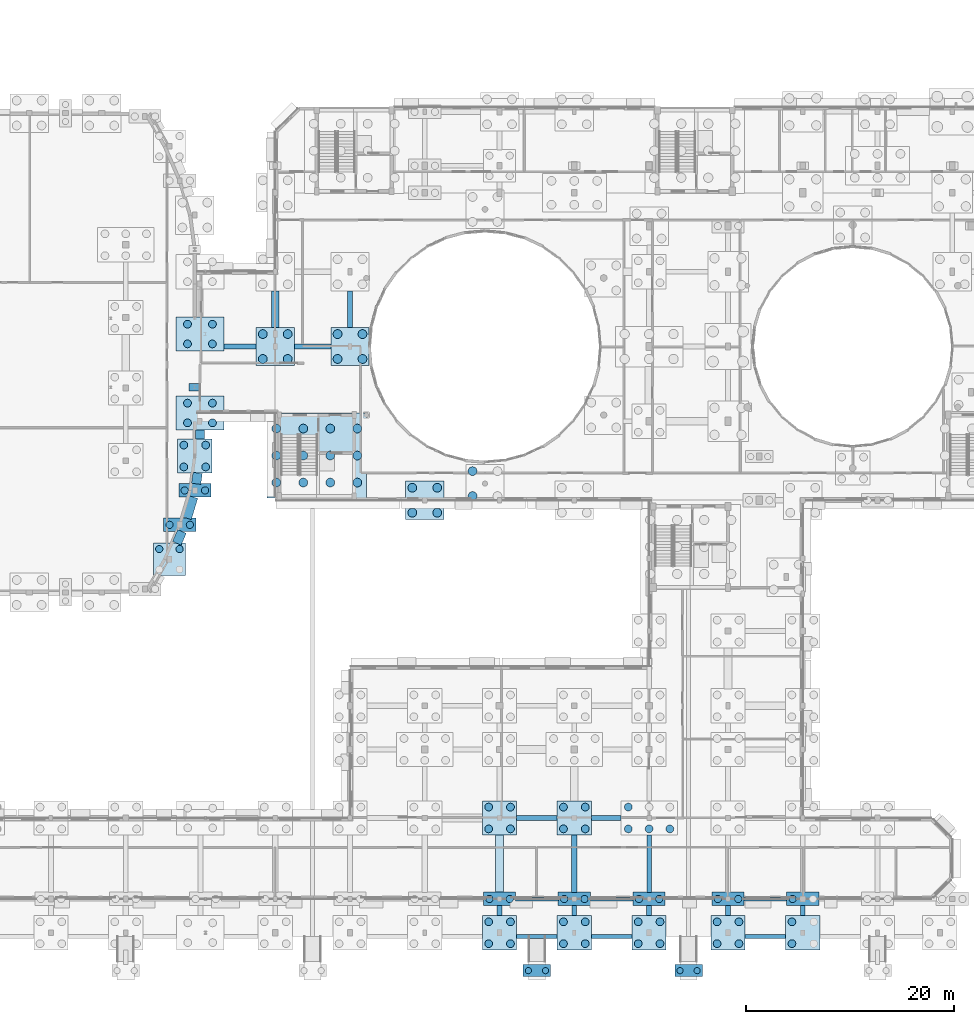
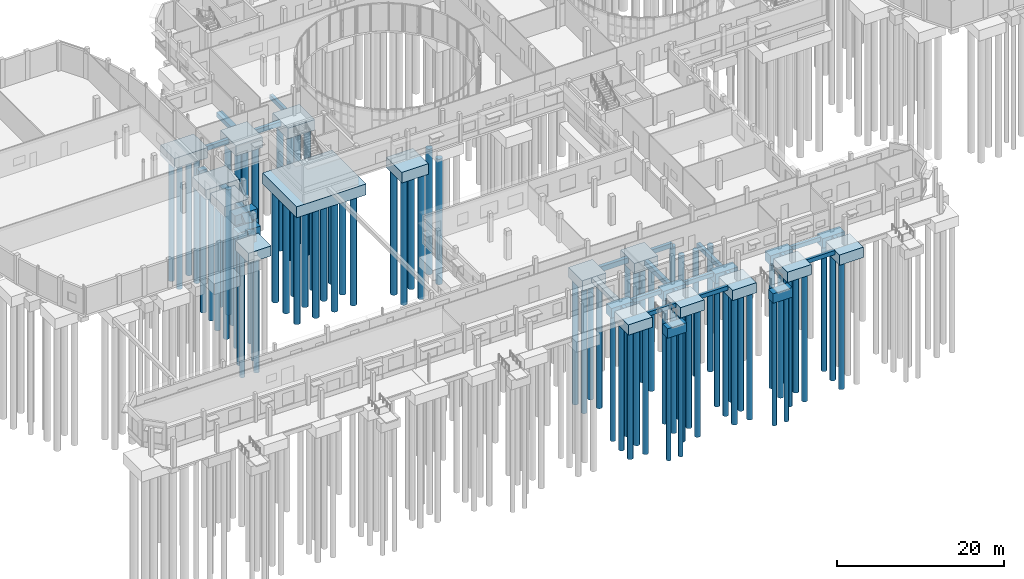
# One storey, part 3 of 93: 87 piles, 49 footings.
"""IFC4 building model written with IfcOpenShell, lengths in metres."""

from ifc_helpers import new_model, si_unit, direction, frame, origin, origin_2d, place, context, subcontext, project, spatial, rectangle, circle, extrude, material, material_profile, profile_set, type_object, element, save


model = new_model("IFC4")

# Units and contexts
model_context = context("Model", 3, precision=1e-05, world=origin(), true_north=direction((0.0, 1.0)))
body_context = subcontext(model_context, "Body", "Model", "MODEL_VIEW")
ifc_project = project(units=[si_unit("LENGTHUNIT", "METRE"), si_unit("AREAUNIT", "SQUARE_METRE"), si_unit("VOLUMEUNIT", "CUBIC_METRE"), si_unit("PLANEANGLEUNIT", "RADIAN"), si_unit("MASSUNIT", "GRAM", prefix="KILO")], contexts=[model_context])

# Site, building, storey
site_placement = place(None, origin())
site = spatial("IfcSite", under=ifc_project, at=site_placement, CompositionType="ELEMENT")
building_placement = place(site_placement, origin())
building = spatial("IfcBuilding", under=site, at=building_placement, Name="Kelanivale Promenade Academy", CompositionType="ELEMENT")
storey_placement = place(building_placement, origin())
storey = spatial("IfcBuildingStorey", under=building, at=storey_placement, Name="L00", CompositionType="ELEMENT", Elevation=0.0)

# Piles
ifc_material = material(Name="Concrete C35/45", Category="concrete")
ifc_material_profile_1 = material_profile(ifc_material, circle(Radius=0.300048828125, at=origin_2d()), Name="BORED PILE D600")
ifc_profile_set_1 = profile_set([ifc_material_profile_1], Name="Concrete C35/45")
pile_type_1 = type_object("IfcPileType", Name="BP-1 BORED PILE D600", PredefinedType="BORED", material=ifc_profile_set_1)
for number, where, z_axis, x_axis, name in (
    (1, (67.574951171875, -3.300048828125, -1.625), (0.0, 0.0, -1.0), (1.0, 0.0, 0.0), "Bored pile FC-RMP-04-BP1-P01"),
    (2, (69.22509765625, -3.300048828125, -1.625), (0.0, 0.0, -1.0), (1.0, 0.0, 0.0), "Bored pile FC-RMP-04-BP1-P02"),
    (3, (82.175048828125, -3.300048828125, -1.625), (0.0, 0.0, -1.0), (1.0, 0.0, 0.0), "Bored pile FC-RMP-05-BP1-P01"),
    (4, (83.824951171875, -3.300048828125, -1.625), (0.0, 0.0, -1.0), (1.0, 0.0, 0.0), "Bored pile FC-RMP-05-BP1-P02"),
):
    element("IfcPile", number, at=place(storey_placement, frame(where, z_axis=z_axis, x_axis=x_axis)), inside=storey, type_object=pile_type_1, Name=name, PredefinedType="BORED", context=body_context, shape_type="SweptSolid", body=[
        extrude(circle(Radius=0.300048828125, at=origin_2d()), origin(), (0.0, 0.0, 1.0), 18.375),
    ])
ifc_material_profile_2 = material_profile(ifc_material, circle(Radius=0.35009765625, at=origin_2d()), Name="BORED PILE D700")
ifc_profile_set_2 = profile_set([ifc_material_profile_2], Name="Concrete C35/45")
pile_type_2 = type_object("IfcPileType", Name="BP-2 BORED PILE D700", PredefinedType="BORED", material=ifc_profile_set_2)
for number, where, z_axis, x_axis, name in (
    (5, (32.030029296875, 37.2939453125, -1.60009765625), (0.0, 0.0, -1.0), (1.0, 0.0, 0.0), "Bored pile FC-039-BP2-P02"),
    (6, (33.989990234375, 37.2939453125, -1.60009765625), (0.0, 0.0, -1.0), (1.0, 0.0, 0.0), "Bored pile FC-039-BP2-P04"),
):
    element("IfcPile", number, at=place(storey_placement, frame(where, z_axis=z_axis, x_axis=x_axis)), inside=storey, type_object=pile_type_2, Name=name, PredefinedType="BORED", context=body_context, shape_type="SweptSolid", body=[
        extrude(circle(Radius=0.35009765625, at=origin_2d()), origin(), (0.0, 0.0, 1.0), 18.39990234375),
    ])
for number, where, z_axis, x_axis, name in (
    (7, (33.02001953125, 39.62890625, -1.550048828125), (0.0, 0.0, -1.0), (1.0, 0.0, 0.0), "Bored pile FC-041-BP2-P01"),
    (8, (34.97998046875, 39.62890625, -1.550048828125), (0.0, 0.0, -1.0), (1.0, 0.0, 0.0), "Bored pile FC-041-BP2-P02"),
    (9, (34.47998046875, 42.943115234375, -1.550048828125), (0.0, 0.0, -1.0), (1.0, 0.0, 0.0), "Bored pile FC-044-BP2-P01"),
    (10, (36.43994140625, 42.943115234375, -1.550048828125), (0.0, 0.0, -1.0), (1.0, 0.0, 0.0), "Bored pile FC-044-BP2-P02"),
):
    element("IfcPile", number, at=place(storey_placement, frame(where, z_axis=z_axis, x_axis=x_axis)), inside=storey, type_object=pile_type_2, Name=name, PredefinedType="BORED", context=body_context, shape_type="SweptSolid", body=[
        extrude(circle(Radius=0.35009765625, at=origin_2d()), origin(), (0.0, 0.0, 1.0), 18.449951171875),
    ])
for number, where, z_axis, x_axis, name in (
    (11, (63.820068359375, 3.60009765625, -1.5), (0.0, 0.0, -1.0), (1.0, 0.0, 0.0), "Bored pile FC-072-BP2-P01"),
    (12, (65.780029296875, 3.60009765625, -1.5), (0.0, 0.0, -1.0), (1.0, 0.0, 0.0), "Bored pile FC-072-BP2-P02"),
    (13, (71.02001953125, 3.60009765625, -1.5), (0.0, 0.0, -1.0), (1.0, 0.0, 0.0), "Bored pile FC-079-BP2-P01"),
    (14, (72.97998046875, 3.60009765625, -1.5), (0.0, 0.0, -1.0), (1.0, 0.0, 0.0), "Bored pile FC-079-BP2-P02"),
    (15, (78.219970703125, 3.60009765625, -1.5), (0.0, 0.0, -1.0), (1.0, 0.0, 0.0), "Bored pile FC-089-BP2-P01"),
    (16, (80.179931640625, 3.60009765625, -1.5), (0.0, 0.0, -1.0), (1.0, 0.0, 0.0), "Bored pile FC-089-BP2-P02"),
    (17, (85.820068359375, 3.60009765625, -1.5), (0.0, 0.0, -1.0), (1.0, 0.0, 0.0), "Bored pile FC-099-BP2-P01"),
    (18, (87.780029296875, 3.60009765625, -1.5), (0.0, 0.0, -1.0), (1.0, 0.0, 0.0), "Bored pile FC-099-BP2-P02"),
    (19, (93.02001953125, 3.60009765625, -1.5), (0.0, 0.0, -1.0), (1.0, 0.0, 0.0), "Bored pile FC-112-BP2-P01"),
):
    element("IfcPile", number, at=place(storey_placement, frame(where, z_axis=z_axis, x_axis=x_axis)), inside=storey, type_object=pile_type_2, Name=name, PredefinedType="BORED", context=body_context, shape_type="SweptSolid", body=[
        extrude(circle(Radius=0.35009765625, at=origin_2d()), origin(), (0.0, 0.0, 1.0), 18.5),
    ])
ifc_material_profile_3 = material_profile(ifc_material, circle(Radius=0.375, at=origin_2d()), Name="BORED PILE D750")
ifc_profile_set_3 = profile_set([ifc_material_profile_3], Name="Concrete C35/45")
pile_type_3 = type_object("IfcPileType", Name="BP-3 BORED PILE D750", PredefinedType="BORED", material=ifc_profile_set_3)
for number, where, z_axis, x_axis, name in (
    (20, (34.75, 49.449951171875, -1.64990234375), (0.0, 0.0, -1.0), (1.0, 0.0, 0.0), "Bored pile FC-MJ-W01-BP3-P01"),
    (21, (34.75, 51.35009765625, -1.64990234375), (0.0, 0.0, -1.0), (1.0, 0.0, 0.0), "Bored pile FC-MJ-W01-BP3-P02"),
    (22, (37.14990234375, 49.449951171875, -1.64990234375), (0.0, 0.0, -1.0), (1.0, 0.0, 0.0), "Bored pile FC-MJ-W01-BP3-P03"),
    (23, (37.14990234375, 51.35009765625, -1.64990234375), (0.0, 0.0, -1.0), (1.0, 0.0, 0.0), "Bored pile FC-MJ-W01-BP3-P04"),
    (24, (34.75, 57.050048828125, -1.64990234375), (0.0, 0.0, -1.0), (1.0, 0.0, 0.0), "Bored pile FC-MJ-W02-BP3-P01"),
    (25, (34.75, 58.949951171875, -1.64990234375), (0.0, 0.0, -1.0), (1.0, 0.0, 0.0), "Bored pile FC-MJ-W02-BP3-P02"),
    (26, (37.14990234375, 57.050048828125, -1.64990234375), (0.0, 0.0, -1.0), (1.0, 0.0, 0.0), "Bored pile FC-MJ-W02-BP3-P03"),
    (27, (37.14990234375, 58.949951171875, -1.64990234375), (0.0, 0.0, -1.0), (1.0, 0.0, 0.0), "Bored pile FC-MJ-W02-BP3-P04"),
    (28, (34.39990234375, 45.20703125, -1.64990234375), (0.0, 0.0, -1.0), (1.0, 0.0, 0.0), "Bored pile FC-043-BP3-P01"),
    (29, (34.39990234375, 47.306884765625, -1.64990234375), (0.0, 0.0, -1.0), (1.0, 0.0, 0.0), "Bored pile FC-043-BP3-P02"),
    (30, (36.5, 45.20703125, -1.64990234375), (0.0, 0.0, -1.0), (1.0, 0.0, 0.0), "Bored pile FC-043-BP3-P03"),
    (31, (36.5, 47.306884765625, -1.64990234375), (0.0, 0.0, -1.0), (1.0, 0.0, 0.0), "Bored pile FC-043-BP3-P04"),
):
    element("IfcPile", number, at=place(storey_placement, frame(where, z_axis=z_axis, x_axis=x_axis)), inside=storey, type_object=pile_type_3, Name=name, PredefinedType="BORED", context=body_context, shape_type="SweptSolid", body=[
        extrude(circle(Radius=0.375, at=origin_2d()), origin(), (0.0, 0.0, 1.0), 18.35009765625),
    ])
for number, where, z_axis, x_axis, name in (
    (32, (63.75, -0.699951171875, -1.35009765625), (0.0, 0.0, -1.0), (1.0, 0.0, 0.0), "Bored pile FC-071-BP3-P01"),
    (33, (63.75, 1.39990234375, -1.35009765625), (0.0, 0.0, -1.0), (1.0, 0.0, 0.0), "Bored pile FC-071-BP3-P02"),
    (34, (65.85009765625, -0.699951171875, -1.35009765625), (0.0, 0.0, -1.0), (1.0, 0.0, 0.0), "Bored pile FC-071-BP3-P03"),
    (35, (65.85009765625, 1.39990234375, -1.35009765625), (0.0, 0.0, -1.0), (1.0, 0.0, 0.0), "Bored pile FC-071-BP3-P04"),
):
    element("IfcPile", number, at=place(storey_placement, frame(where, z_axis=z_axis, x_axis=x_axis)), inside=storey, type_object=pile_type_3, Name=name, PredefinedType="BORED", context=body_context, shape_type="SweptSolid", body=[
        extrude(circle(Radius=0.375, at=origin_2d()), origin(), (0.0, 0.0, 1.0), 18.64990234375),
    ])
for number, where, z_axis, x_axis, name in (
    (36, (63.75, 10.35009765625, -1.60009765625), (0.0, 0.0, -1.0), (1.0, 0.0, 0.0), "Bored pile FC-073-BP3-P01"),
    (37, (63.75, 12.449951171875, -1.60009765625), (0.0, 0.0, -1.0), (1.0, 0.0, 0.0), "Bored pile FC-073-BP3-P02"),
    (38, (65.85009765625, 10.35009765625, -1.60009765625), (0.0, 0.0, -1.0), (1.0, 0.0, 0.0), "Bored pile FC-073-BP3-P03"),
    (39, (65.85009765625, 12.449951171875, -1.60009765625), (0.0, 0.0, -1.0), (1.0, 0.0, 0.0), "Bored pile FC-073-BP3-P04"),
):
    element("IfcPile", number, at=place(storey_placement, frame(where, z_axis=z_axis, x_axis=x_axis)), inside=storey, type_object=pile_type_3, Name=name, PredefinedType="BORED", context=body_context, shape_type="SweptSolid", body=[
        extrude(circle(Radius=0.375, at=origin_2d()), origin(), (0.0, 0.0, 1.0), 18.39990234375),
    ])
for number, where, z_axis, x_axis, name in (
    (40, (70.949951171875, -0.699951171875, -1.35009765625), (0.0, 0.0, -1.0), (1.0, 0.0, 0.0), "Bored pile FC-078-BP3-P01"),
    (41, (70.949951171875, 1.39990234375, -1.35009765625), (0.0, 0.0, -1.0), (1.0, 0.0, 0.0), "Bored pile FC-078-BP3-P02"),
    (42, (73.050048828125, -0.699951171875, -1.35009765625), (0.0, 0.0, -1.0), (1.0, 0.0, 0.0), "Bored pile FC-078-BP3-P03"),
    (43, (73.050048828125, 1.39990234375, -1.35009765625), (0.0, 0.0, -1.0), (1.0, 0.0, 0.0), "Bored pile FC-078-BP3-P04"),
):
    element("IfcPile", number, at=place(storey_placement, frame(where, z_axis=z_axis, x_axis=x_axis)), inside=storey, type_object=pile_type_3, Name=name, PredefinedType="BORED", context=body_context, shape_type="SweptSolid", body=[
        extrude(circle(Radius=0.375, at=origin_2d()), origin(), (0.0, 0.0, 1.0), 18.64990234375),
    ])
for number, where, z_axis, x_axis, name in (
    (44, (70.949951171875, 10.35009765625, -1.60009765625), (0.0, 0.0, -1.0), (1.0, 0.0, 0.0), "Bored pile FC-080-BP3-P01"),
    (45, (70.949951171875, 12.449951171875, -1.60009765625), (0.0, 0.0, -1.0), (1.0, 0.0, 0.0), "Bored pile FC-080-BP3-P02"),
    (46, (73.050048828125, 10.35009765625, -1.60009765625), (0.0, 0.0, -1.0), (1.0, 0.0, 0.0), "Bored pile FC-080-BP3-P03"),
    (47, (73.050048828125, 12.449951171875, -1.60009765625), (0.0, 0.0, -1.0), (1.0, 0.0, 0.0), "Bored pile FC-080-BP3-P04"),
):
    element("IfcPile", number, at=place(storey_placement, frame(where, z_axis=z_axis, x_axis=x_axis)), inside=storey, type_object=pile_type_3, Name=name, PredefinedType="BORED", context=body_context, shape_type="SweptSolid", body=[
        extrude(circle(Radius=0.375, at=origin_2d()), origin(), (0.0, 0.0, 1.0), 18.39990234375),
    ])
for number, where, z_axis, x_axis, name in (
    (48, (78.14990234375, -0.699951171875, -1.35009765625), (0.0, 0.0, -1.0), (1.0, 0.0, 0.0), "Bored pile FC-088-BP3-P01"),
    (49, (78.14990234375, 1.39990234375, -1.35009765625), (0.0, 0.0, -1.0), (1.0, 0.0, 0.0), "Bored pile FC-088-BP3-P02"),
    (50, (80.25, -0.699951171875, -1.35009765625), (0.0, 0.0, -1.0), (1.0, 0.0, 0.0), "Bored pile FC-088-BP3-P03"),
    (51, (80.25, 1.39990234375, -1.35009765625), (0.0, 0.0, -1.0), (1.0, 0.0, 0.0), "Bored pile FC-088-BP3-P04"),
):
    element("IfcPile", number, at=place(storey_placement, frame(where, z_axis=z_axis, x_axis=x_axis)), inside=storey, type_object=pile_type_3, Name=name, PredefinedType="BORED", context=body_context, shape_type="SweptSolid", body=[
        extrude(circle(Radius=0.375, at=origin_2d()), origin(), (0.0, 0.0, 1.0), 18.64990234375),
    ])
for number, where, z_axis, x_axis, name in (
    (52, (77.199951171875, 10.35009765625, -1.60009765625), (0.0, 0.0, -1.0), (1.0, 0.0, 0.0), "Bored pile FC-090-BP3-P01"),
    (53, (79.199951171875, 10.35009765625, -1.60009765625), (0.0, 0.0, -1.0), (1.0, 0.0, 0.0), "Bored pile FC-090-BP3-P02"),
    (54, (81.199951171875, 10.35009765625, -1.60009765625), (0.0, 0.0, -1.0), (1.0, 0.0, 0.0), "Bored pile FC-090-BP3-P03"),
    (55, (77.199951171875, 12.449951171875, -1.60009765625), (0.0, 0.0, -1.0), (1.0, 0.0, 0.0), "Bored pile FC-090-BP3-P04"),
):
    element("IfcPile", number, at=place(storey_placement, frame(where, z_axis=z_axis, x_axis=x_axis)), inside=storey, type_object=pile_type_3, Name=name, PredefinedType="BORED", context=body_context, shape_type="SweptSolid", body=[
        extrude(circle(Radius=0.375, at=origin_2d()), origin(), (0.0, 0.0, 1.0), 18.39990234375),
    ])
for number, where, z_axis, x_axis, name in (
    (56, (85.75, -0.699951171875, -1.35009765625), (0.0, 0.0, -1.0), (1.0, 0.0, 0.0), "Bored pile FC-098-BP3-P01"),
    (57, (85.75, 1.39990234375, -1.35009765625), (0.0, 0.0, -1.0), (1.0, 0.0, 0.0), "Bored pile FC-098-BP3-P02"),
    (58, (87.85009765625, -0.699951171875, -1.35009765625), (0.0, 0.0, -1.0), (1.0, 0.0, 0.0), "Bored pile FC-098-BP3-P03"),
    (59, (87.85009765625, 1.39990234375, -1.35009765625), (0.0, 0.0, -1.0), (1.0, 0.0, 0.0), "Bored pile FC-098-BP3-P04"),
    (60, (92.949951171875, -0.699951171875, -1.35009765625), (0.0, 0.0, -1.0), (1.0, 0.0, 0.0), "Bored pile FC-111-BP3-P01"),
    (61, (92.949951171875, 1.39990234375, -1.35009765625), (0.0, 0.0, -1.0), (1.0, 0.0, 0.0), "Bored pile FC-111-BP3-P02"),
):
    element("IfcPile", number, at=place(storey_placement, frame(where, z_axis=z_axis, x_axis=x_axis)), inside=storey, type_object=pile_type_3, Name=name, PredefinedType="BORED", context=body_context, shape_type="SweptSolid", body=[
        extrude(circle(Radius=0.375, at=origin_2d()), origin(), (0.0, 0.0, 1.0), 18.64990234375),
    ])
ifc_material_profile_4 = material_profile(ifc_material, circle(Radius=0.425048828125, at=origin_2d()), Name="BORED PILE D850")
ifc_profile_set_4 = profile_set([ifc_material_profile_4], Name="Concrete C35/45")
pile_type_4 = type_object("IfcPileType", Name="BP-4 BORED PILE D850", PredefinedType="BORED", material=ifc_profile_set_4)
for number, where, z_axis, x_axis, name in (
    (62, (43.300048828125, 43.699951171875, -3.300048828125), (0.0, 0.0, -1.0), (1.0, 0.0, 0.0), "Bored pile FC-CORE-06-BP4-P01"),
    (63, (43.300048828125, 46.300048828125, -3.300048828125), (0.0, 0.0, -1.0), (1.0, 0.0, 0.0), "Bored pile FC-CORE-06-BP4-P02"),
    (64, (43.300048828125, 48.89990234375, -3.300048828125), (0.0, 0.0, -1.0), (1.0, 0.0, 0.0), "Bored pile FC-CORE-06-BP4-P03"),
    (65, (45.89990234375, 43.699951171875, -3.300048828125), (0.0, 0.0, -1.0), (1.0, 0.0, 0.0), "Bored pile FC-CORE-06-BP4-P04"),
    (66, (45.89990234375, 46.300048828125, -3.300048828125), (0.0, 0.0, -1.0), (1.0, 0.0, 0.0), "Bored pile FC-CORE-06-BP4-P05"),
    (67, (45.89990234375, 48.89990234375, -3.300048828125), (0.0, 0.0, -1.0), (1.0, 0.0, 0.0), "Bored pile FC-CORE-06-BP4-P06"),
    (68, (48.5, 43.699951171875, -3.300048828125), (0.0, 0.0, -1.0), (1.0, 0.0, 0.0), "Bored pile FC-CORE-06-BP4-P07"),
    (69, (48.5, 46.300048828125, -3.300048828125), (0.0, 0.0, -1.0), (1.0, 0.0, 0.0), "Bored pile FC-CORE-06-BP4-P08"),
    (70, (48.5, 48.89990234375, -3.300048828125), (0.0, 0.0, -1.0), (1.0, 0.0, 0.0), "Bored pile FC-CORE-06-BP4-P09"),
    (71, (51.10009765625, 43.699951171875, -3.300048828125), (0.0, 0.0, -1.0), (1.0, 0.0, 0.0), "Bored pile FC-CORE-06-BP4-P10"),
    (72, (51.10009765625, 46.300048828125, -3.300048828125), (0.0, 0.0, -1.0), (1.0, 0.0, 0.0), "Bored pile FC-CORE-06-BP4-P11"),
    (73, (51.10009765625, 48.89990234375, -3.300048828125), (0.0, 0.0, -1.0), (1.0, 0.0, 0.0), "Bored pile FC-CORE-06-BP4-P12"),
):
    element("IfcPile", number, at=place(storey_placement, frame(where, z_axis=z_axis, x_axis=x_axis)), inside=storey, type_object=pile_type_4, Name=name, PredefinedType="BORED", context=body_context, shape_type="SweptSolid", body=[
        extrude(circle(Radius=0.425048828125, at=origin_2d()), origin(), (0.0, 0.0, 1.0), 16.699951171875),
    ])
for number, where, z_axis, x_axis, name in (
    (74, (42.0, 55.60009765625, -1.64990234375), (0.0, 0.0, -1.0), (1.0, 0.0, 0.0), "Bored pile FC-050-BP4-P01"),
    (75, (42.0, 58.0, -1.64990234375), (0.0, 0.0, -1.0), (1.0, 0.0, 0.0), "Bored pile FC-050-BP4-P02"),
    (76, (44.39990234375, 55.60009765625, -1.64990234375), (0.0, 0.0, -1.0), (1.0, 0.0, 0.0), "Bored pile FC-050-BP4-P03"),
    (77, (44.39990234375, 58.0, -1.64990234375), (0.0, 0.0, -1.0), (1.0, 0.0, 0.0), "Bored pile FC-050-BP4-P04"),
    (78, (49.199951171875, 55.60009765625, -1.64990234375), (0.0, 0.0, -1.0), (1.0, 0.0, 0.0), "Bored pile FC-058-BP4-P01"),
    (79, (49.199951171875, 58.0, -1.64990234375), (0.0, 0.0, -1.0), (1.0, 0.0, 0.0), "Bored pile FC-058-BP4-P02"),
    (80, (51.60009765625, 55.60009765625, -1.64990234375), (0.0, 0.0, -1.0), (1.0, 0.0, 0.0), "Bored pile FC-058-BP4-P03"),
    (81, (51.60009765625, 58.0, -1.64990234375), (0.0, 0.0, -1.0), (1.0, 0.0, 0.0), "Bored pile FC-058-BP4-P04"),
    (82, (56.39990234375, 40.800048828125, -1.64990234375), (0.0, 0.0, -1.0), (1.0, 0.0, 0.0), "Bored pile FC-065-BP4-P01"),
    (83, (56.39990234375, 43.199951171875, -1.64990234375), (0.0, 0.0, -1.0), (1.0, 0.0, 0.0), "Bored pile FC-065-BP4-P02"),
    (84, (58.800048828125, 40.800048828125, -1.64990234375), (0.0, 0.0, -1.0), (1.0, 0.0, 0.0), "Bored pile FC-065-BP4-P03"),
    (85, (58.800048828125, 43.199951171875, -1.64990234375), (0.0, 0.0, -1.0), (1.0, 0.0, 0.0), "Bored pile FC-065-BP4-P04"),
    (86, (62.199951171875, 42.39990234375, -1.64990234375), (0.0, 0.0, -1.0), (1.0, 0.0, 0.0), "Bored pile FC-069-BP4-P01"),
    (87, (62.199951171875, 44.800048828125, -1.64990234375), (0.0, 0.0, -1.0), (1.0, 0.0, 0.0), "Bored pile FC-069-BP4-P02"),
):
    element("IfcPile", number, at=place(storey_placement, frame(where, z_axis=z_axis, x_axis=x_axis)), inside=storey, type_object=pile_type_4, Name=name, PredefinedType="BORED", context=body_context, shape_type="SweptSolid", body=[
        extrude(circle(Radius=0.425048828125, at=origin_2d()), origin(), (0.0, 0.0, 1.0), 18.35009765625),
    ])

# Footings
footing_type_1 = type_object("IfcFootingType", Name="GB-01 450x650", PredefinedType="FOOTING_BEAM", material=ifc_material)
footing_1_placement = place(storey_placement, frame((75.06201171875, 11.39990234375, -0.89990234375), z_axis=(0.0, 0.0, 1.0), x_axis=(1.0, 0.0, 0.0)))
element("IfcFooting", 88, at=footing_1_placement, inside=storey, type_object=footing_type_1, Name="Ground beam GB-058", PredefinedType="FOOTING_BEAM", context=body_context, shape_type="SweptSolid", body=[
    extrude(rectangle(XDim=2.8349609375, YDim=0.449951171875, at=origin_2d()), origin(), (0.0, 0.0, 1.0), 0.64990234375),
])
footing_2_placement = place(storey_placement, frame((39.800048828125, 56.800048828125, -0.949951171875), z_axis=(0.0, 0.0, 1.0), x_axis=(1.0, 0.0, 0.0)))
element("IfcFooting", 89, at=footing_2_placement, inside=storey, type_object=footing_type_1, Name="Ground beam GB-085", PredefinedType="FOOTING_BEAM", context=body_context, shape_type="SweptSolid", body=[
    extrude(rectangle(XDim=3.110107421875, YDim=0.449951171875, at=origin_2d()), origin(), (0.0, 0.0, 1.0), 0.64990234375),
])
for number, where, z_axis, x_axis, name in (
    (90, (46.800048828125, 56.800048828125, -0.89990234375), (0.0, 0.0, 1.0), (1.0, 0.0, 0.0), "Ground beam GB-086"),
    (91, (50.39990234375, 60.39990234375, -0.89990234375), (0.0, 0.0, 1.0), (0.0, 1.0, 0.0), "Ground beam GB-139"),
):
    element("IfcFooting", number, at=place(storey_placement, frame(where, z_axis=z_axis, x_axis=x_axis)), inside=storey, type_object=footing_type_1, Name=name, PredefinedType="FOOTING_BEAM", context=body_context, shape_type="SweptSolid", body=[
        extrude(rectangle(XDim=3.510009765625, YDim=0.449951171875, at=origin_2d()), origin(), (0.0, 0.0, 1.0), 0.64990234375),
    ])
for number, where, z_axis, x_axis, name in (
    (92, (64.800048828125, 2.47509765625, -0.89990234375), (0.0, 0.0, 1.0), (0.0, 1.0, 0.0), "Ground beam GB-146"),
    (93, (72.0, 2.47509765625, -0.89990234375), (0.0, 0.0, 1.0), (0.0, 1.0, 0.0), "Ground beam GB-152"),
):
    element("IfcFooting", number, at=place(storey_placement, frame(where, z_axis=z_axis, x_axis=x_axis)), inside=storey, type_object=footing_type_1, Name=name, PredefinedType="FOOTING_BEAM", context=body_context, shape_type="SweptSolid", body=[
        extrude(rectangle(XDim=0.9599609375, YDim=0.449951171875, at=origin_2d()), origin(), (0.0, 0.0, 1.0), 0.64990234375),
    ])
footing_3_placement = place(storey_placement, frame((79.199951171875, 7.0, -0.89990234375), z_axis=(0.0, 0.0, 1.0), x_axis=(0.0, 1.0, 0.0)))
element("IfcFooting", 94, at=footing_3_placement, inside=storey, type_object=footing_type_1, Name="Ground beam GB-157", PredefinedType="FOOTING_BEAM", context=body_context, shape_type="SweptSolid", body=[
    extrude(rectangle(XDim=5.510009765625, YDim=0.449951171875, at=origin_2d()), origin(), (0.0, 0.0, 1.0), 0.64990234375),
])
for number, where, z_axis, x_axis, name in (
    (95, (86.800048828125, 2.47509765625, -0.89990234375), (0.0, 0.0, 1.0), (0.0, 1.0, 0.0), "Ground beam GB-164"),
    (96, (94.0, 2.47509765625, -0.89990234375), (0.0, 0.0, 1.0), (0.0, 1.0, 0.0), "Ground beam GB-172"),
):
    element("IfcFooting", number, at=place(storey_placement, frame(where, z_axis=z_axis, x_axis=x_axis)), inside=storey, type_object=footing_type_1, Name=name, PredefinedType="FOOTING_BEAM", context=body_context, shape_type="SweptSolid", body=[
        extrude(rectangle(XDim=0.9599609375, YDim=0.449951171875, at=origin_2d()), origin(), (0.0, 0.0, 1.0), 0.64990234375),
    ])
footing_type_2 = type_object("IfcFootingType", Name="GB-02 500x750", PredefinedType="FOOTING_BEAM", material=ifc_material)
footing_4_placement = place(storey_placement, frame((68.39990234375, 11.39990234375, -1.0), z_axis=(0.0, 0.0, 1.0), x_axis=(1.0, 0.0, 0.0)))
element("IfcFooting", 97, at=footing_4_placement, inside=storey, type_object=footing_type_2, Name="Ground beam GB-057", PredefinedType="FOOTING_BEAM", context=body_context, shape_type="SweptSolid", body=[
    extrude(rectangle(XDim=3.909912109375, YDim=0.5, at=origin_2d()), origin(), (0.0, 0.0, 1.0), 0.75),
])
footing_5_placement = place(storey_placement, frame((72.0, 7.0, -1.0), z_axis=(0.0, 0.0, 1.0), x_axis=(0.0, 1.0, 0.0)))
element("IfcFooting", 98, at=footing_5_placement, inside=storey, type_object=footing_type_2, Name="Ground beam GB-153", PredefinedType="FOOTING_BEAM", context=body_context, shape_type="SweptSolid", body=[
    extrude(rectangle(XDim=5.510009765625, YDim=0.5, at=origin_2d()), origin(), (0.0, 0.0, 1.0), 0.75),
])
footing_6_placement = place(storey_placement, frame((79.199951171875, 2.47509765625, -1.0), z_axis=(0.0, 0.0, 1.0), x_axis=(0.0, 1.0, 0.0)))
element("IfcFooting", 99, at=footing_6_placement, inside=storey, type_object=footing_type_2, Name="Ground beam GB-156", PredefinedType="FOOTING_BEAM", context=body_context, shape_type="SweptSolid", body=[
    extrude(rectangle(XDim=0.9599609375, YDim=0.5, at=origin_2d()), origin(), (0.0, 0.0, 1.0), 0.75),
])
footing_type_3 = type_object("IfcFootingType", Name="GB-03 400x600", PredefinedType="FOOTING_BEAM", material=ifc_material)
for number, where, z_axis, x_axis, name in (
    (100, (68.39990234375, 0.0, -0.60009765625), (0.0, 0.0, 1.0), (1.0, 0.0, 0.0), "Ground beam GB-034"),
    (101, (75.60009765625, 0.0, -0.60009765625), (0.0, 0.0, 1.0), (1.0, 0.0, 0.0), "Ground beam GB-035"),
    (102, (90.39990234375, 0.0, -0.60009765625), (0.0, 0.0, 1.0), (1.0, 0.0, 0.0), "Ground beam GB-036"),
):
    element("IfcFooting", number, at=place(storey_placement, frame(where, z_axis=z_axis, x_axis=x_axis)), inside=storey, type_object=footing_type_3, Name=name, PredefinedType="FOOTING_BEAM", context=body_context, shape_type="SweptSolid", body=[
        extrude(rectangle(XDim=3.909912109375, YDim=0.39990234375, at=origin_2d()), origin(), (0.0, 0.0, 1.0), 0.60009765625),
    ])
for number, where, z_axis, x_axis, name in (
    (103, (68.39990234375, 3.60009765625, -0.85009765625), (0.0, 0.0, 1.0), (1.0, 0.0, 0.0), "Ground beam GB-046"),
    (104, (75.60009765625, 3.60009765625, -0.85009765625), (0.0, 0.0, 1.0), (1.0, 0.0, 0.0), "Ground beam GB-047"),
    (105, (90.39990234375, 3.60009765625, -0.85009765625), (0.0, 0.0, 1.0), (1.0, 0.0, 0.0), "Ground beam GB-048"),
):
    element("IfcFooting", number, at=place(storey_placement, frame(where, z_axis=z_axis, x_axis=x_axis)), inside=storey, type_object=footing_type_3, Name=name, PredefinedType="FOOTING_BEAM", context=body_context, shape_type="SweptSolid", body=[
        extrude(rectangle(XDim=4.110107421875, YDim=0.39990234375, at=origin_2d()), origin(), (0.0, 0.0, 1.0), 0.60009765625),
    ])
footing_type_4 = type_object("IfcFootingType", Name="PC-01 Pile Cap 2650x1150x1400", PredefinedType="PILE_CAP", material=ifc_material)
for number, where, z_axis, x_axis, name in (
    (106, (68.39990234375, -3.300048828125, -1.77490234375), (0.0, 0.0, 1.0), (1.0, 0.0, 0.0), "Pile cap FC-RMP-04"),
    (107, (83.0, -3.300048828125, -1.77490234375), (0.0, 0.0, 1.0), (1.0, 0.0, 0.0), "Pile cap FC-RMP-05"),
):
    element("IfcFooting", number, at=place(storey_placement, frame(where, z_axis=z_axis, x_axis=x_axis)), inside=storey, type_object=footing_type_4, Name=name, PredefinedType="PILE_CAP", context=body_context, shape_type="SweptSolid", body=[
        extrude(rectangle(XDim=2.64990234375, YDim=1.14990234375, at=origin_2d()), origin(), (0.0, 0.0, 1.0), 1.39990234375),
    ])
footing_type_5 = type_object("IfcFootingType", Name="PC-03 Pile Cap 3100x1300x1400", PredefinedType="PILE_CAP", material=ifc_material)
for number, where, z_axis, x_axis, name in (
    (108, (34.0, 39.62890625, -1.699951171875), (0.0, 0.0, 1.0), (1.0, 0.0, 0.0), "Pile cap FC-041"),
    (109, (35.4599609375, 42.943115234375, -1.699951171875), (0.0, 0.0, 1.0), (1.0, 0.0, 0.0), "Pile cap FC-044"),
    (110, (64.800048828125, 3.60009765625, -1.64990234375), (0.0, 0.0, 1.0), (1.0, 0.0, 0.0), "Pile cap FC-072"),
    (111, (72.0, 3.60009765625, -1.64990234375), (0.0, 0.0, 1.0), (1.0, 0.0, 0.0), "Pile cap FC-079"),
    (112, (79.199951171875, 3.60009765625, -1.64990234375), (0.0, 0.0, 1.0), (1.0, 0.0, 0.0), "Pile cap FC-089"),
    (113, (86.800048828125, 3.60009765625, -1.64990234375), (0.0, 0.0, 1.0), (1.0, 0.0, 0.0), "Pile cap FC-099"),
    (114, (94.0, 3.60009765625, -1.64990234375), (0.0, 0.0, 1.0), (1.0, 0.0, 0.0), "Pile cap FC-112"),
):
    element("IfcFooting", number, at=place(storey_placement, frame(where, z_axis=z_axis, x_axis=x_axis)), inside=storey, type_object=footing_type_5, Name=name, PredefinedType="PILE_CAP", context=body_context, shape_type="SweptSolid", body=[
        extrude(rectangle(XDim=3.10009765625, YDim=1.300048828125, at=origin_2d()), origin(), (0.0, 0.0, 1.0), 1.39990234375),
    ])
footing_type_6 = type_object("IfcFootingType", Name="PC-04 Pile Cap 3100x3100x1450", PredefinedType="PILE_CAP", material=ifc_material)
footing_7_placement = place(storey_placement, frame((33.010009765625, 36.31396484375, -1.75), z_axis=(0.0, 0.0, 1.0), x_axis=(1.0, 0.0, 0.0)))
element("IfcFooting", 115, at=footing_7_placement, inside=storey, type_object=footing_type_6, Name="Pile cap FC-039", PredefinedType="PILE_CAP", context=body_context, shape_type="SweptSolid", body=[
    extrude(rectangle(XDim=3.10009765625, YDim=3.10009765625, at=origin_2d()), origin(), (0.0, 0.0, 1.0), 1.449951171875),
])
footing_type_7 = type_object("IfcFootingType", Name="PC-05 Pile Cap 3300x3300x1500", PredefinedType="PILE_CAP", material=ifc_material)
for number, where, z_axis, x_axis, name in (
    (116, (35.449951171875, 46.257080078125, -1.800048828125), (0.0, 0.0, 1.0), (1.0, 0.0, 0.0), "Pile cap FC-043"),
    (117, (64.800048828125, 0.35009765625, -1.5), (0.0, 0.0, 1.0), (1.0, 0.0, 0.0), "Pile cap FC-071"),
    (118, (64.800048828125, 11.39990234375, -1.75), (0.0, 0.0, 1.0), (1.0, 0.0, 0.0), "Pile cap FC-073"),
    (119, (72.0, 0.35009765625, -1.5), (0.0, 0.0, 1.0), (1.0, 0.0, 0.0), "Pile cap FC-078"),
    (120, (72.0, 11.39990234375, -1.75), (0.0, 0.0, 1.0), (1.0, 0.0, 0.0), "Pile cap FC-080"),
    (121, (79.199951171875, 0.35009765625, -1.5), (0.0, 0.0, 1.0), (1.0, 0.0, 0.0), "Pile cap FC-088"),
    (122, (86.800048828125, 0.35009765625, -1.5), (0.0, 0.0, 1.0), (1.0, 0.0, 0.0), "Pile cap FC-098"),
    (123, (94.0, 0.35009765625, -1.5), (0.0, 0.0, 1.0), (1.0, 0.0, 0.0), "Pile cap FC-111"),
):
    element("IfcFooting", number, at=place(storey_placement, frame(where, z_axis=z_axis, x_axis=x_axis)), inside=storey, type_object=footing_type_7, Name=name, PredefinedType="PILE_CAP", context=body_context, shape_type="SweptSolid", body=[
        extrude(rectangle(XDim=3.300048828125, YDim=3.300048828125, at=origin_2d()), origin(), (0.0, 0.0, 1.0), 1.5),
    ])
footing_type_8 = type_object("IfcFootingType", Name="PC-07 Pile Cap 3700x3700x1550", PredefinedType="PILE_CAP", material=ifc_material)
for number, where, z_axis, x_axis, name in (
    (124, (43.199951171875, 56.800048828125, -1.7998046875), (0.0, 0.0, 1.0), (1.0, 0.0, 0.0), "Pile cap FC-050"),
    (125, (50.39990234375, 56.800048828125, -1.7998046875), (0.0, 0.0, 1.0), (1.0, 0.0, 0.0), "Pile cap FC-058"),
    (126, (57.60009765625, 42.0, -1.7998046875), (0.0, 0.0, 1.0), (1.0, 0.0, 0.0), "Pile cap FC-065"),
):
    element("IfcFooting", number, at=place(storey_placement, frame(where, z_axis=z_axis, x_axis=x_axis)), inside=storey, type_object=footing_type_8, Name=name, PredefinedType="PILE_CAP", context=body_context, shape_type="SweptSolid", body=[
        extrude(rectangle(XDim=3.699951171875, YDim=3.699951171875, at=origin_2d()), origin(), (0.0, 0.0, 1.0), 1.550048828125),
    ])
footing_type_9 = type_object("IfcFootingType", Name="PC-C1 Pile Cap 9600x8200x1600", PredefinedType="PILE_CAP", material=ifc_material)
footing_8_placement = place(storey_placement, frame((47.199951171875, 46.300048828125, -3.449951171875), z_axis=(0.0, 0.0, 1.0), x_axis=(1.0, 0.0, 0.0)))
element("IfcFooting", 127, at=footing_8_placement, inside=storey, type_object=footing_type_9, Name="Pile cap FC-CORE-06", PredefinedType="PILE_CAP", context=body_context, shape_type="SweptSolid", body=[
    extrude(rectangle(XDim=9.60009765625, YDim=8.199951171875, at=origin_2d()), origin(), (0.0, 0.0, 1.0), 1.60009765625),
])
footing_type_10 = type_object("IfcFootingType", Name="PC-J1 Pile Cap 4600x3300x1500", PredefinedType="PILE_CAP", material=ifc_material)
for number, where, z_axis, x_axis, name in (
    (128, (35.949951171875, 50.39990234375, -1.800048828125), (0.0, 0.0, 1.0), (1.0, 0.0, 0.0), "Pile cap FC-MJ-W01"),
    (129, (35.949951171875, 58.0, -1.800048828125), (0.0, 0.0, 1.0), (1.0, 0.0, 0.0), "Pile cap FC-MJ-W02"),
):
    element("IfcFooting", number, at=place(storey_placement, frame(where, z_axis=z_axis, x_axis=x_axis)), inside=storey, type_object=footing_type_10, Name=name, PredefinedType="PILE_CAP", context=body_context, shape_type="SweptSolid", body=[
        extrude(rectangle(XDim=4.60009765625, YDim=3.300048828125, at=origin_2d()), origin(), (0.0, 0.0, 1.0), 1.5),
    ])
footing_type_11 = type_object("IfcFootingType", Name="SF-01 750x650", PredefinedType="STRIP_FOOTING", material=ifc_material)
footing_9_placement = place(storey_placement, frame((35.449951171875, 52.885986328125, -0.949951171875), z_axis=(0.0, 0.0, 1.0), x_axis=(1.0, 0.0, 0.0)))
element("IfcFooting", 130, at=footing_9_placement, inside=storey, type_object=footing_type_11, Name="Column pad footing FPAD-006", PredefinedType="STRIP_FOOTING", context=body_context, shape_type="SweptSolid", body=[
    extrude(rectangle(XDim=1.10009765625, YDim=0.75, at=origin_2d()), origin(), (0.0, 0.0, 1.0), 0.64990234375),
])
footing_10_placement = place(storey_placement, frame((43.199951171875, 60.39990234375, -0.89990234375), z_axis=(0.0, 0.0, 1.0), x_axis=(0.0, 1.0, 0.0)))
element("IfcFooting", 131, at=footing_10_placement, inside=storey, type_object=footing_type_11, Name="Ground beam GB-133", PredefinedType="STRIP_FOOTING", context=body_context, shape_type="SweptSolid", body=[
    extrude(rectangle(XDim=3.510009765625, YDim=0.75, at=origin_2d()), origin(), (0.0, 0.0, 1.0), 0.64990234375),
])
footing_11_placement = place(storey_placement, frame((64.800048828125, 7.0, -0.89990234375), z_axis=(0.0, 0.0, 1.0), x_axis=(0.0, 1.0, 0.0)))
element("IfcFooting", 132, at=footing_11_placement, inside=storey, type_object=footing_type_11, Name="Ground beam GB-147", PredefinedType="STRIP_FOOTING", context=body_context, shape_type="SweptSolid", body=[
    extrude(rectangle(XDim=5.510009765625, YDim=0.75, at=origin_2d()), origin(), (0.0, 0.0, 1.0), 0.64990234375),
])
footing_type_12 = type_object("IfcFootingType", Name="SF-02 900x700", PredefinedType="STRIP_FOOTING", material=ifc_material)
footing_12_placement = place(storey_placement, frame((33.971923828125, 38.422119140625, -1.0), z_axis=(0.0, 0.0, 1.0), x_axis=(0.400748833103, 0.916187957117, 0.0)))
element("IfcFooting", 133, at=footing_12_placement, inside=storey, type_object=footing_type_12, Name="Curved ring foundation beam GB-006", PredefinedType="STRIP_FOOTING", context=body_context, shape_type="SweptSolid", body=[
    extrude(rectangle(XDim=1.2470703125, YDim=0.89990234375, at=origin_2d()), origin(), (0.0, 0.0, 1.0), 0.699951171875),
])
footing_13_placement = place(storey_placement, frame((35.0, 41.285888671875, -1.0), z_axis=(0.0, 0.0, 1.0), x_axis=(0.288881417984, 0.95736488673, 0.0)))
element("IfcFooting", 134, at=footing_13_placement, inside=storey, type_object=footing_type_12, Name="Curved ring foundation beam GB-007", PredefinedType="STRIP_FOOTING", context=body_context, shape_type="SweptSolid", body=[
    extrude(rectangle(XDim=2.134033203125, YDim=0.89990234375, at=origin_2d()), origin(), (0.0, 0.0, 1.0), 0.699951171875),
])
footing_14_placement = place(storey_placement, frame((35.656982421875, 44.10009765625, -1.0), z_axis=(0.0, 0.0, 1.0), x_axis=(0.134556928512, 0.990905864848, 0.0)))
element("IfcFooting", 135, at=footing_14_placement, inside=storey, type_object=footing_type_12, Name="Curved ring foundation beam GB-008", PredefinedType="STRIP_FOOTING", context=body_context, shape_type="SweptSolid", body=[
    extrude(rectangle(XDim=1.052978515625, YDim=0.89990234375, at=origin_2d()), origin(), (0.0, 0.0, 1.0), 0.699951171875),
])
footing_15_placement = place(storey_placement, frame((35.949951171875, 48.327880859375, -1.0), z_axis=(0.0, 0.0, 1.0), x_axis=(0.0, 1.0, 0.0)))
element("IfcFooting", 136, at=footing_15_placement, inside=storey, type_object=footing_type_12, Name="Curved ring foundation beam GB-009", PredefinedType="STRIP_FOOTING", context=body_context, shape_type="SweptSolid", body=[
    extrude(rectangle(XDim=0.873046875, YDim=0.89990234375, at=origin_2d()), origin(), (0.0, 0.0, 1.0), 0.699951171875),
])

save(model, "model.ifc")
